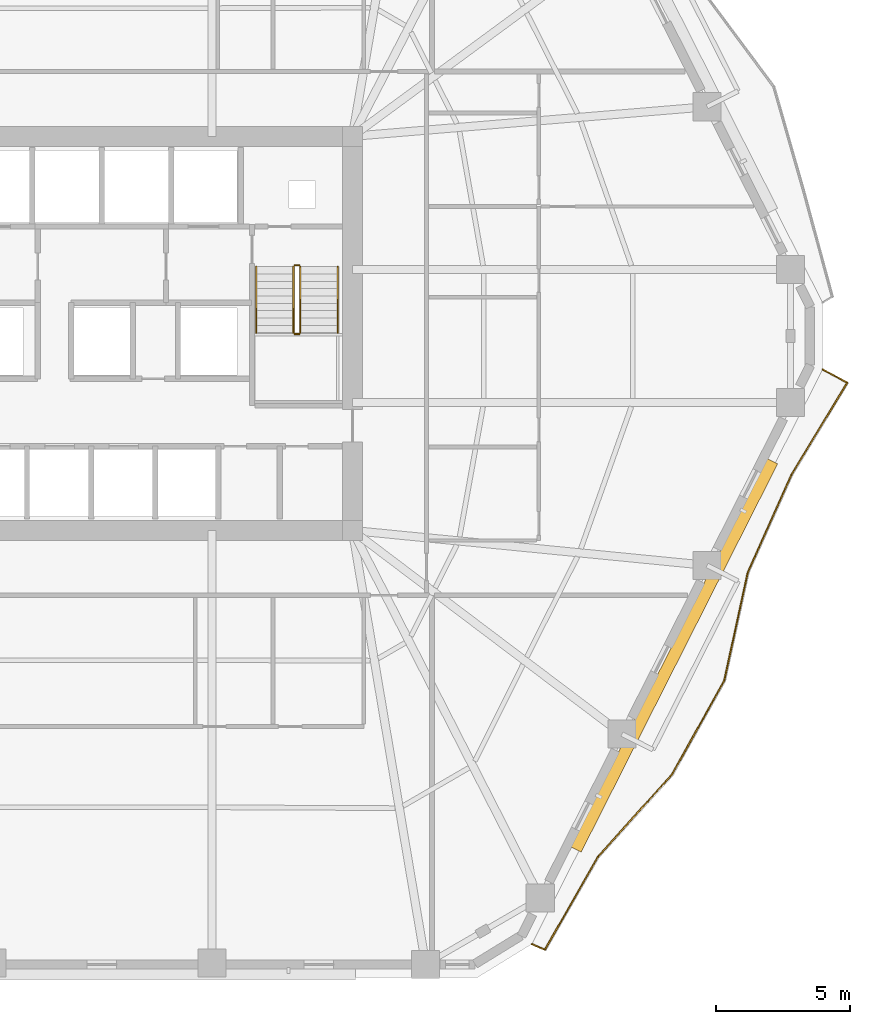
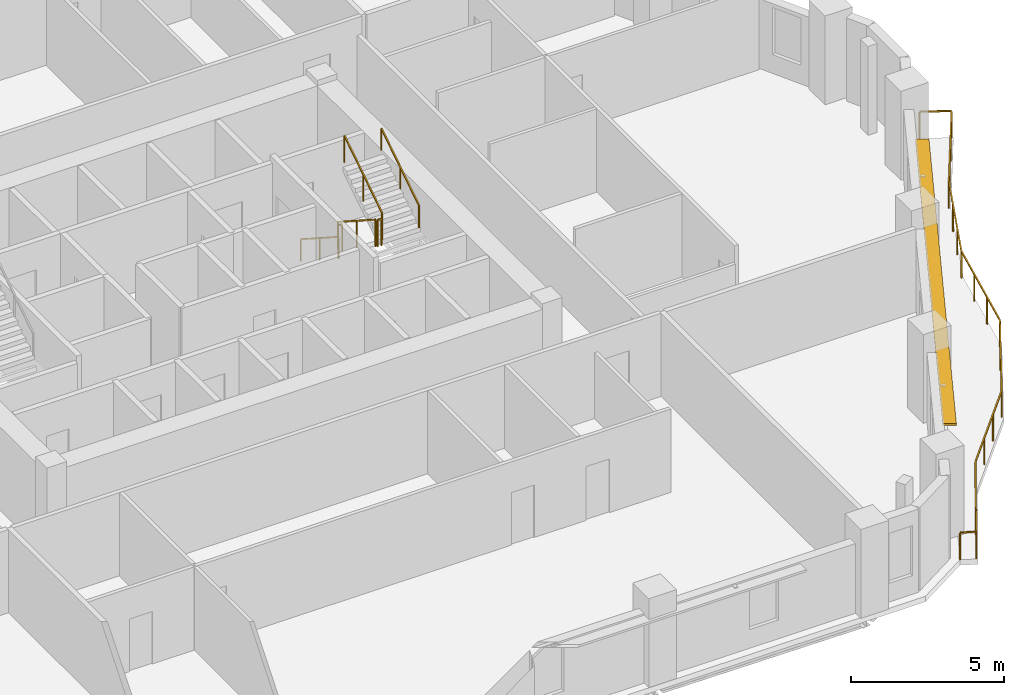
# One storey, part 12 of 13: 7 railings, 1 shading device.
"""IFC4 building model written with IfcOpenShell, lengths in metres."""

from ifc_helpers import new_model, si_unit, direction, frame, origin, origin_2d, place, context, subcontext, project, spatial, rectangle, extrude, material, layer, layer_set, type_object, element, save


model = new_model("IFC4")

# Units and contexts
model_context = context("Model", 3, precision=1e-05, world=origin(), true_north=direction((0.0, 1.0)))
body_context = subcontext(model_context, "Body", "Model", "MODEL_VIEW")
ifc_project = project(units=[si_unit("LENGTHUNIT", "METRE"), si_unit("AREAUNIT", "SQUARE_METRE"), si_unit("VOLUMEUNIT", "CUBIC_METRE"), si_unit("PLANEANGLEUNIT", "RADIAN"), si_unit("MASSUNIT", "GRAM", prefix="KILO")], contexts=[model_context])

# Site, building, storey
site_placement = place(None, origin())
site = spatial("IfcSite", under=ifc_project, at=site_placement, CompositionType="ELEMENT")
building_placement = place(site_placement, origin())
building = spatial("IfcBuilding", under=site, at=building_placement, Name="Cinnabar Lancet Tower", CompositionType="ELEMENT")
storey_placement = place(building_placement, frame((0.0, 0.0, 83.550048828125)))
storey = spatial("IfcBuildingStorey", under=building, at=storey_placement, Name="L21", CompositionType="ELEMENT", Elevation=83.550048828125)

# Railing
ifc_material_1 = material(Name="Laminated safety glass and bronze stainless steel balustrade", Category="steel")
railing_type_1 = type_object("IfcRailingType", Name="ENV-RLG-BAL-1100", PredefinedType="BALUSTRADE", material=ifc_material_1)
railing_1_placement = place(storey_placement, frame((48.488037109375, 3.049072265625, 0.0)))
element("IfcRailing", 1, at=railing_1_placement, inside=storey, type_object=railing_type_1, Name="L21 Face 2 Wave Balcony Balustrade", PredefinedType="BALUSTRADE", context=body_context, shape_type="SweptSolid", body=[
    extrude(rectangle(XDim=0.048095703125, YDim=0.048095703125, at=origin_2d()), frame((0.0, 0.0, 1.076171875), z_axis=(0.917762079763, -0.39713066483, 0.0), x_axis=(0.39713066483, 0.917762079763, 0.0)), (0.0, 0.0, 1.0), 0.53173828125),
    extrude(rectangle(XDim=0.048095703125, YDim=0.048095703125, at=origin_2d()), frame((0.488037109375, -0.211181640625, 1.076171875), z_axis=(0.495857204441, 0.86840407231, 0.0), x_axis=(-0.86840407231, 0.495857204441, 0.0)), (0.0, 0.0, 1.0), 4.01318359375),
    extrude(rectangle(XDim=0.048095703125, YDim=0.048095703125, at=origin_2d()), frame((2.47802734375, 3.27392578125, 1.076171875), z_axis=(0.668756658222, 0.743481359607, 0.0), x_axis=(-0.743481359607, 0.668756658222, 0.0)), (0.0, 0.0, 1.0), 4.1494140625),
    extrude(rectangle(XDim=0.048095703125, YDim=0.048095703125, at=origin_2d()), frame((5.2529296875, 6.35888671875, 1.076171875), z_axis=(0.485880748169, 0.874025113231, 0.0), x_axis=(-0.874025113231, 0.485880748169, 0.0)), (0.0, 0.0, 1.0), 4.00927734375),
    extrude(rectangle(XDim=0.048095703125, YDim=0.048095703125, at=origin_2d()), frame((7.200927734375, 9.863037109375, 1.076171875), z_axis=(0.212436991939, 0.977174766588, 0.0), x_axis=(-0.977174766588, 0.212436991939, 0.0)), (0.0, 0.0, 1.0), 4.138427734375),
    extrude(rectangle(XDim=0.048095703125, YDim=0.048095703125, at=origin_2d()), frame((8.080078125, 13.906982421875, 1.076171875), z_axis=(0.408402099258, 0.912802128241, 0.0), x_axis=(-0.912802128241, 0.408402099258, 0.0)), (0.0, 0.0, 1.0), 4.010498046875),
    extrude(rectangle(XDim=0.048095703125, YDim=0.048095703125, at=origin_2d()), frame((9.718017578125, 17.56787109375, 1.076171875), z_axis=(0.518296330825, 0.85520109533, 0.0), x_axis=(-0.85520109533, 0.518296330825, 0.0)), (0.0, 0.0, 1.0), 4.01904296875),
    extrude(rectangle(XDim=0.048095703125, YDim=0.048095703125, at=origin_2d()), frame((11.801025390625, 21.0048828125, 1.076171875), z_axis=(-0.880043835352, 0.474892459257, 0.0), x_axis=(-0.474892459257, -0.880043835352, 0.0)), (0.0, 0.0, 1.0), 1.046630859375),
    extrude(rectangle(XDim=0.0419921875, YDim=0.0419921875, at=origin_2d()), origin(), (0.0, 0.0, 1.0), 1.052001953125),
    extrude(rectangle(XDim=0.0419921875, YDim=0.0419921875, at=origin_2d()), frame((0.488037109375, -0.211181640625, 0.0)), (0.0, 0.0, 1.0), 1.052001953125),
    extrude(rectangle(XDim=0.0419921875, YDim=0.0419921875, at=origin_2d()), frame((1.1513671875, 0.950439453125, 0.0)), (0.0, 0.0, 1.0), 1.052001953125),
    extrude(rectangle(XDim=0.0419921875, YDim=0.0419921875, at=origin_2d()), frame((1.814697265625, 2.1123046875, 0.0)), (0.0, 0.0, 1.0), 1.052001953125),
    extrude(rectangle(XDim=0.0419921875, YDim=0.0419921875, at=origin_2d()), frame((2.47802734375, 3.27392578125, 0.0)), (0.0, 0.0, 1.0), 1.052001953125),
    extrude(rectangle(XDim=0.0419921875, YDim=0.0419921875, at=origin_2d()), frame((3.403076171875, 4.30224609375, 0.0)), (0.0, 0.0, 1.0), 1.052001953125),
    extrude(rectangle(XDim=0.0419921875, YDim=0.0419921875, at=origin_2d()), frame((4.327880859375, 5.33056640625, 0.0)), (0.0, 0.0, 1.0), 1.052001953125),
    extrude(rectangle(XDim=0.0419921875, YDim=0.0419921875, at=origin_2d()), frame((5.2529296875, 6.35888671875, 0.0)), (0.0, 0.0, 1.0), 1.052001953125),
    extrude(rectangle(XDim=0.0419921875, YDim=0.0419921875, at=origin_2d()), frame((5.90234375, 7.52685546875, 0.0)), (0.0, 0.0, 1.0), 1.052001953125),
    extrude(rectangle(XDim=0.0419921875, YDim=0.0419921875, at=origin_2d()), frame((6.551513671875, 8.695068359375, 0.0)), (0.0, 0.0, 1.0), 1.052001953125),
    extrude(rectangle(XDim=0.0419921875, YDim=0.0419921875, at=origin_2d()), frame((7.200927734375, 9.863037109375, 0.0)), (0.0, 0.0, 1.0), 1.052001953125),
    extrude(rectangle(XDim=0.0419921875, YDim=0.0419921875, at=origin_2d()), frame((7.493896484375, 11.2109375, 0.0)), (0.0, 0.0, 1.0), 1.052001953125),
    extrude(rectangle(XDim=0.0419921875, YDim=0.0419921875, at=origin_2d()), frame((7.787109375, 12.55908203125, 0.0)), (0.0, 0.0, 1.0), 1.052001953125),
    extrude(rectangle(XDim=0.0419921875, YDim=0.0419921875, at=origin_2d()), frame((8.080078125, 13.906982421875, 0.0)), (0.0, 0.0, 1.0), 1.052001953125),
    extrude(rectangle(XDim=0.0419921875, YDim=0.0419921875, at=origin_2d()), frame((8.6259765625, 15.127197265625, 0.0)), (0.0, 0.0, 1.0), 1.052001953125),
    extrude(rectangle(XDim=0.0419921875, YDim=0.0419921875, at=origin_2d()), frame((9.172119140625, 16.34765625, 0.0)), (0.0, 0.0, 1.0), 1.052001953125),
    extrude(rectangle(XDim=0.0419921875, YDim=0.0419921875, at=origin_2d()), frame((9.718017578125, 17.56787109375, 0.0)), (0.0, 0.0, 1.0), 1.052001953125),
    extrude(rectangle(XDim=0.0419921875, YDim=0.0419921875, at=origin_2d()), frame((10.412353515625, 18.713623046875, 0.0)), (0.0, 0.0, 1.0), 1.052001953125),
    extrude(rectangle(XDim=0.0419921875, YDim=0.0419921875, at=origin_2d()), frame((11.106689453125, 19.859130859375, 0.0)), (0.0, 0.0, 1.0), 1.052001953125),
    extrude(rectangle(XDim=0.0419921875, YDim=0.0419921875, at=origin_2d()), frame((11.801025390625, 21.0048828125, 0.0)), (0.0, 0.0, 1.0), 1.052001953125),
    extrude(rectangle(XDim=0.0419921875, YDim=0.0419921875, at=origin_2d()), frame((10.8798828125, 21.501953125, 0.0)), (0.0, 0.0, 1.0), 1.052001953125),
])

# Shading device
ifc_material_2 = material(Name="Pale limestone architectural aluminium sunshade", Category="masonry")
ifc_layer = layer(ifc_material_2, 0.080078125)
ifc_layer_set = layer_set([ifc_layer], Name="Pale limestone architectural aluminium sunshade")
shading_device_type = type_object("IfcShadingDeviceType", Name="ENV-SHD-LVR-450", PredefinedType="JALOUSIE", material=ifc_layer_set)
shading_device_placement = place(storey_placement, frame((53.81005859375, 13.85595703125, 2.639892578125), z_axis=(0.0, 0.0, 1.0), x_axis=(0.451500573218, 0.892270829056, 0.0)))
element("IfcShadingDevice", 2, at=shading_device_placement, inside=storey, type_object=shading_device_type, Name="L21 Face 2 Horizontal Sunshade Canopy", PredefinedType="JALOUSIE", context=body_context, shape_type="SweptSolid", body=[
    extrude(rectangle(XDim=16.279052734375, YDim=0.449951171875, at=origin_2d()), origin(), (0.0, 0.0, 1.0), 0.080078125),
])

# Railings
ifc_material_3 = material(Name="Painted galvanized steel balustrade", Category="steel")
railing_type_2 = type_object("IfcRailingType", Name="GUARD-STAIR", PredefinedType="GUARDRAIL", material=ifc_material_3)
railing_2_placement = place(storey_placement, frame((39.574951171875, 28.39990234375, 0.177490234375)))
element("IfcRailing", 3, at=railing_2_placement, inside=storey, type_object=railing_type_2, Name="L21 ST-2 stair guard 1", PredefinedType="GUARDRAIL", context=body_context, shape_type="SweptSolid", body=[
    extrude(rectangle(XDim=0.048095703125, YDim=0.048095703125, at=origin_2d()), frame((0.0, 0.0, 1.076171875), z_axis=(0.0, -0.840183358697, 0.542302428327), x_axis=(1.0, 0.0, 0.0)), (0.0, 0.0, 1.0), 2.945556640625),
    extrude(rectangle(XDim=0.0419921875, YDim=0.0419921875, at=origin_2d()), origin(), (0.0, 0.0, 1.0), 1.052001953125),
    extrude(rectangle(XDim=0.0419921875, YDim=0.0419921875, at=origin_2d()), frame((0.0, -1.2373046875, 0.798828125)), (0.0, 0.0, 1.0), 1.052001953125),
    extrude(rectangle(XDim=0.0419921875, YDim=0.0419921875, at=origin_2d()), frame((0.0, -2.474853515625, 1.597412109375)), (0.0, 0.0, 1.0), 1.052001953125),
])
railing_3_placement = place(storey_placement, frame((39.625, 25.875, 1.77490234375)))
element("IfcRailing", 4, at=railing_3_placement, inside=storey, type_object=railing_type_2, Name="L21 ST-2 stair guard 2", PredefinedType="GUARDRAIL", context=body_context, shape_type="SweptSolid", body=[
    extrude(rectangle(XDim=0.048095703125, YDim=0.048095703125, at=origin_2d()), frame((0.0, 0.0, 1.076171875), z_axis=(1.0, 0.0, 0.0), x_axis=(0.0, 1.0, 0.0)), (0.0, 0.0, 1.0), 0.14990234375),
    extrude(rectangle(XDim=0.0419921875, YDim=0.0419921875, at=origin_2d()), origin(), (0.0, 0.0, 1.0), 1.052001953125),
    extrude(rectangle(XDim=0.0419921875, YDim=0.0419921875, at=origin_2d()), frame((0.14990234375, 0.0, 0.0)), (0.0, 0.0, 1.0), 1.052001953125),
])
railing_4_placement = place(storey_placement, frame((39.824951171875, 25.925048828125, 1.952392578125)))
element("IfcRailing", 5, at=railing_4_placement, inside=storey, type_object=railing_type_2, Name="L21 ST-2 stair guard 3", PredefinedType="GUARDRAIL", context=body_context, shape_type="SweptSolid", body=[
    extrude(rectangle(XDim=0.048095703125, YDim=0.048095703125, at=origin_2d()), frame((0.0, 0.0, 1.076171875), z_axis=(0.0, 0.84014559416, 0.542360932049), x_axis=(-1.0, 0.0, 0.0)), (0.0, 0.0, 1.0), 2.94580078125),
    extrude(rectangle(XDim=0.0419921875, YDim=0.0419921875, at=origin_2d()), origin(), (0.0, 0.0, 1.0), 1.052001953125),
    extrude(rectangle(XDim=0.0419921875, YDim=0.0419921875, at=origin_2d()), frame((0.0, 1.2373046875, 0.798828125)), (0.0, 0.0, 1.0), 1.052001953125),
    extrude(rectangle(XDim=0.0419921875, YDim=0.0419921875, at=origin_2d()), frame((0.0, 2.474853515625, 1.59765625)), (0.0, 0.0, 1.0), 1.052001953125),
])
railing_5_placement = place(storey_placement, frame((39.625, 28.449951171875, 0.0)))
element("IfcRailing", 6, at=railing_5_placement, inside=storey, type_object=railing_type_2, Name="L21 ST-2 stair guard 4", PredefinedType="GUARDRAIL", context=body_context, shape_type="SweptSolid", body=[
    extrude(rectangle(XDim=0.048095703125, YDim=0.048095703125, at=origin_2d()), frame((0.0, 0.0, 1.076171875), z_axis=(1.0, 0.0, 0.0), x_axis=(0.0, 1.0, 0.0)), (0.0, 0.0, 1.0), 0.14990234375),
    extrude(rectangle(XDim=0.0419921875, YDim=0.0419921875, at=origin_2d()), origin(), (0.0, 0.0, 1.0), 1.052001953125),
    extrude(rectangle(XDim=0.0419921875, YDim=0.0419921875, at=origin_2d()), frame((0.14990234375, 0.0, 0.0)), (0.0, 0.0, 1.0), 1.052001953125),
])
ifc_material_4 = material(Name="Brushed stainless steel handrail", Category="steel")
railing_type_3 = type_object("IfcRailingType", Name="HANDRAIL-STAIR", PredefinedType="HANDRAIL", material=ifc_material_4)
railing_6_placement = place(storey_placement, frame((38.175048828125, 28.39990234375, 0.177490234375)))
element("IfcRailing", 7, at=railing_6_placement, inside=storey, type_object=railing_type_3, Name="L21 ST-2 stair handrail 1", PredefinedType="HANDRAIL", context=body_context, shape_type="SweptSolid", body=[
    extrude(rectangle(XDim=0.048095703125, YDim=0.048095703125, at=origin_2d()), frame((0.0, 0.0, 0.8759765625), z_axis=(0.0, -0.840183358697, 0.542302428327), x_axis=(1.0, 0.0, 0.0)), (0.0, 0.0, 1.0), 2.945556640625),
    extrude(rectangle(XDim=0.0419921875, YDim=0.0419921875, at=origin_2d()), origin(), (0.0, 0.0, 1.0), 0.851806640625),
    extrude(rectangle(XDim=0.0419921875, YDim=0.0419921875, at=origin_2d()), frame((0.0, -1.2373046875, 0.798828125)), (0.0, 0.0, 1.0), 0.851806640625),
    extrude(rectangle(XDim=0.0419921875, YDim=0.0419921875, at=origin_2d()), frame((0.0, -2.474853515625, 1.597412109375)), (0.0, 0.0, 1.0), 0.851806640625),
])
railing_7_placement = place(storey_placement, frame((41.22509765625, 25.925048828125, 1.952392578125)))
element("IfcRailing", 8, at=railing_7_placement, inside=storey, type_object=railing_type_3, Name="L21 ST-2 stair handrail 2", PredefinedType="HANDRAIL", context=body_context, shape_type="SweptSolid", body=[
    extrude(rectangle(XDim=0.048095703125, YDim=0.048095703125, at=origin_2d()), frame((0.0, 0.0, 0.8759765625), z_axis=(0.0, 0.84014559416, 0.542360932049), x_axis=(-1.0, 0.0, 0.0)), (0.0, 0.0, 1.0), 2.94580078125),
    extrude(rectangle(XDim=0.0419921875, YDim=0.0419921875, at=origin_2d()), origin(), (0.0, 0.0, 1.0), 0.851806640625),
    extrude(rectangle(XDim=0.0419921875, YDim=0.0419921875, at=origin_2d()), frame((0.0, 1.2373046875, 0.798828125)), (0.0, 0.0, 1.0), 0.851806640625),
    extrude(rectangle(XDim=0.0419921875, YDim=0.0419921875, at=origin_2d()), frame((0.0, 2.474853515625, 1.59765625)), (0.0, 0.0, 1.0), 0.851806640625),
])

save(model, "model.ifc")
